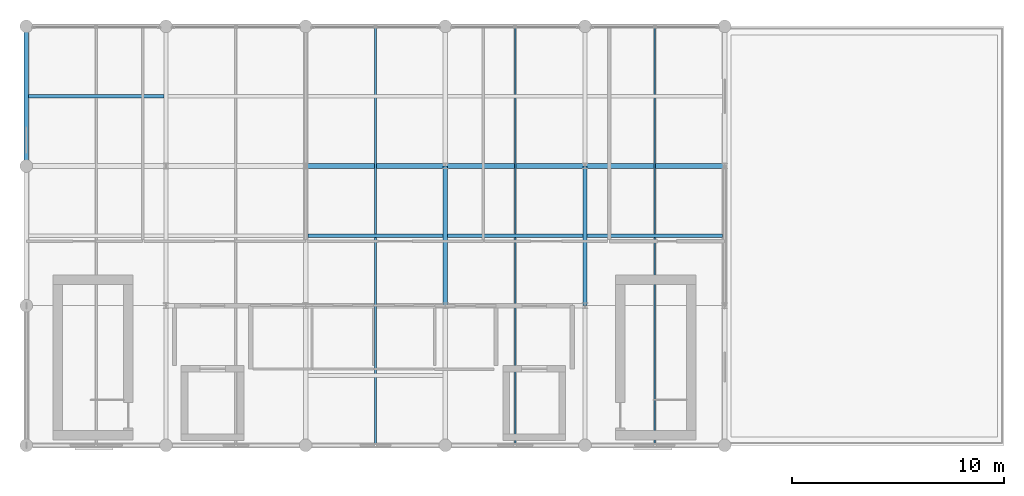
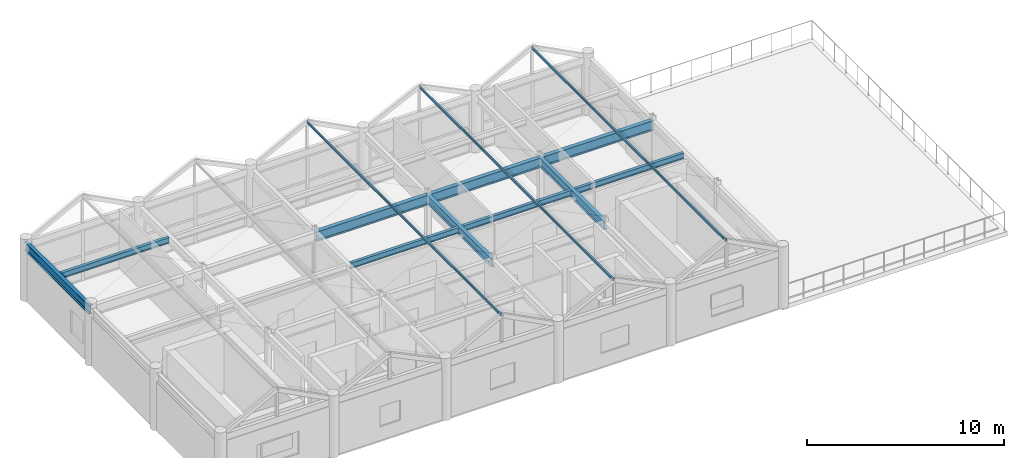
# One storey, part 7 of 21: 10 beams, 3 members.
"""IFC4 building model written with IfcOpenShell, lengths in metres."""

import ifcopenshell
import ifcopenshell.guid

model = None  # the IFC model being written
_history = None  # IfcOwnerHistory: only IFC2X3 demands one
_inside = {}  # id of a spatial element -> (the spatial element, [elements in it])
_under = {}  # id of a project, library or spatial element -> (it, [spatial elements below it])
_declared = {}  # id of a project -> (the project, [libraries it declares])
_typed = {}  # id of a type object -> (the type object, [elements of that type])
_made_of = {}  # id of a material, layer set ... -> (it, [elements and type objects made of it])


def new_model(schema):
    """Start an empty IFC model of exactly this schema.

    Asked for "IFC4X3", IfcOpenShell would pick the latest addendum, in which some entities
    have other attributes; the version numbers below select the first issue.
    IFC2X3 requires an IfcOwnerHistory on every rooted entity: one is made here for all.
    """
    global model, _history
    if schema == "IFC4X3":
        model = ifcopenshell.file(schema_version=(4, 3, 0, 0))
    else:
        model = ifcopenshell.file(schema=schema)
    _inside.clear()
    _under.clear()
    _declared.clear()
    _typed.clear()
    _made_of.clear()
    _history = None
    if model.schema == "IFC2X3":
        org = make("IfcOrganization", Name="unknown")
        user = make(
            "IfcPersonAndOrganization",
            ThePerson=make("IfcPerson", FamilyName="unknown"),
            TheOrganization=org,
        )
        app = make(
            "IfcApplication",
            ApplicationDeveloper=org,
            Version="unknown",
            ApplicationFullName="unknown",
            ApplicationIdentifier="unknown",
        )
        _history = make(
            "IfcOwnerHistory",
            OwningUser=user,
            OwningApplication=app,
            ChangeAction="ADDED",
            CreationDate=0,
        )
    return model


def make(cls, **values):
    """One entity of the class cls with the attributes given. An attribute that is None is left unset."""
    return model.create_entity(
        cls, **{name: value for name, value in values.items() if value is not None}
    )


def rooted(cls, **values):
    """An entity with a GlobalId (a new one), such as an element, a storey or a relation."""
    return make(cls, GlobalId=ifcopenshell.guid.new(), OwnerHistory=_history, **values)


def si_unit(unit_type, name, prefix=None):
    """IfcSIUnit, for example si_unit("LENGTHUNIT", "METRE", prefix="MILLI")."""
    return make("IfcSIUnit", UnitType=unit_type, Prefix=prefix, Name=name)


def assignment(units):
    """IfcUnitAssignment: the units of a project."""
    return None if units is None else make("IfcUnitAssignment", Units=units)


def point(xyz):
    """IfcCartesianPoint."""
    return None if xyz is None else make("IfcCartesianPoint", Coordinates=xyz)


def direction(xyz):
    """IfcDirection."""
    return None if xyz is None else make("IfcDirection", DirectionRatios=xyz)


def frame(location, z_axis=None, x_axis=None):
    """IfcAxis2Placement3D, a coordinate frame: its origin and axes. An axis left out is left unset."""
    return make(
        "IfcAxis2Placement3D",
        Location=point(location),
        Axis=direction(z_axis),
        RefDirection=direction(x_axis),
    )


def frame_2d(location, x_axis=None):
    """IfcAxis2Placement2D, a coordinate frame in the plane: its origin and x axis."""
    return make(
        "IfcAxis2Placement2D", Location=point(location), RefDirection=direction(x_axis)
    )


def origin():
    """The frame at (0, 0, 0) with its axes left unset."""
    return frame((0.0, 0.0, 0.0))


def origin_2d():
    """The frame at (0, 0) in the plane with its x axis left unset."""
    return frame_2d((0.0, 0.0))


def place(relative_to, where):
    """IfcLocalPlacement: puts the frame where relative to a parent placement (None: the world)."""
    return make(
        "IfcLocalPlacement", PlacementRelTo=relative_to, RelativePlacement=where
    )


def context(
    kind, dimensions, precision=None, world=None, true_north=None, identifier=None
):
    """IfcGeometricRepresentationContext, for example the 3D "Model" context."""
    return make(
        "IfcGeometricRepresentationContext",
        ContextIdentifier=identifier,
        ContextType=kind,
        CoordinateSpaceDimension=dimensions,
        Precision=precision,
        WorldCoordinateSystem=world,
        TrueNorth=true_north,
    )


def subcontext(parent, identifier, kind, view, scale=None):
    """IfcGeometricRepresentationSubContext, for example "Body" below "Model"."""
    return make(
        "IfcGeometricRepresentationSubContext",
        ContextIdentifier=identifier,
        ContextType=kind,
        ParentContext=parent,
        TargetScale=scale,
        TargetView=view,
    )


def project(units=None, contexts=None):
    """IfcProject with its units and contexts."""
    return rooted(
        "IfcProject",
        Name="project",
        RepresentationContexts=contexts,
        UnitsInContext=assignment(units),
    )


def spatial(cls, under=None, at=None, **own):
    """A site, building, storey or space (cls), placed at a placement, below another one or the project."""
    s = rooted(cls, ObjectPlacement=at, **own)
    if under is not None:
        _under.setdefault(under.id(), (under, []))[1].append(s)
    return s


def profile(cls, at=None, kind="AREA", **sizes):
    """A parametric profile (cls). Its sizes go by their IFC names, for example OverallWidth=200.0."""
    return make(cls, ProfileType=kind, Position=at, **sizes)


def i_section(**sizes):
    """IfcIShapeProfileDef."""
    return profile("IfcIShapeProfileDef", **sizes)


def extrude(swept, where, along, depth):
    """IfcExtrudedAreaSolid: the profile swept, set in the frame where, extruded along a direction by depth."""
    return make(
        "IfcExtrudedAreaSolid",
        SweptArea=swept,
        Position=where,
        ExtrudedDirection=direction(along),
        Depth=depth,
    )


def shape(context_of_items, identifier, shape_type, items):
    """IfcShapeRepresentation: the items that make up one representation, for example the "Body"."""
    return make(
        "IfcShapeRepresentation",
        ContextOfItems=context_of_items,
        RepresentationIdentifier=identifier,
        RepresentationType=shape_type,
        Items=items,
    )


def material(Name=None, Category=None):
    """IfcMaterial."""
    return make("IfcMaterial", Name=Name, Category=Category)


def material_profile(
    of_material, cross_section, Name=None, Category=None, Priority=None
):
    """IfcMaterialProfile: a cross section and its material."""
    return make(
        "IfcMaterialProfile",
        Name=Name,
        Material=of_material,
        Profile=cross_section,
        Priority=Priority,
        Category=Category,
    )


def profile_set(profiles, Name=None, composite=None):
    """IfcMaterialProfileSet."""
    return make(
        "IfcMaterialProfileSet",
        Name=Name,
        MaterialProfiles=profiles,
        CompositeProfile=composite,
    )


def made_of(thing, what):
    """Note that an element or type object is made of a material, layer set ...; save() writes the relation."""
    if what is not None:
        _made_of.setdefault(what.id(), (what, []))[1].append(thing)
    return thing


def type_object(cls, material=None, **own):
    """A type object (cls), such as IfcWallType, which elements share."""
    return made_of(rooted(cls, **own), material)


def element(
    cls,
    number,
    at=None,
    inside=None,
    cuts=None,
    type_object=None,
    material=None,
    context=None,
    identifier="Body",
    shape_type=None,
    held_by="IfcProductDefinitionShape",
    body=None,
    shapes=None,
    **own,
):
    """One element of the class cls, such as IfcWall. Its Tag is "e" and its number.

    at: its placement. inside: the storey or other place that contains it. cuts: it is an
    opening in that element (IfcRelVoidsElement). A single representation is given by context,
    identifier, shape_type and body (its items); several are given by shapes. held_by: the class
    of the entity that holds the representations. save() writes the other relations.
    """
    e = rooted(cls, Tag="e%d" % number, ObjectPlacement=at, **own)
    if body is not None:
        shapes = [shape(context, identifier, shape_type, body)]
    if shapes is not None:
        e.Representation = make(held_by, Representations=shapes)
    if inside is not None:
        _inside.setdefault(inside.id(), (inside, []))[1].append(e)
    if cuts is not None:
        rooted(
            "IfcRelVoidsElement", RelatingBuildingElement=cuts, RelatedOpeningElement=e
        )
    if type_object is not None:
        _typed.setdefault(type_object.id(), (type_object, []))[1].append(e)
    return made_of(e, material)


def aggregate(whole, parts):
    """IfcRelAggregates: a whole, such as a stair, and the parts it consists of."""
    return rooted("IfcRelAggregates", RelatingObject=whole, RelatedObjects=parts)


def save(model, path):
    """Write the relations noted so far, then the file.

    IfcRelAggregates (storeys below a building ...), IfcRelContainedInSpatialStructure (elements
    in a storey), IfcRelDefinesByType, IfcRelAssociatesMaterial and IfcRelDeclares: one each for
    every whole, place, type object, material and project.
    """
    for whole, parts in _under.values():
        aggregate(whole, parts)
    for where, things in _inside.values():
        rooted(
            "IfcRelContainedInSpatialStructure",
            RelatedElements=things,
            RelatingStructure=where,
        )
    for kind, things in _typed.values():
        rooted("IfcRelDefinesByType", RelatedObjects=things, RelatingType=kind)
    for what, things in _made_of.values():
        rooted("IfcRelAssociatesMaterial", RelatedObjects=things, RelatingMaterial=what)
    for by, libraries in _declared.values():
        rooted("IfcRelDeclares", RelatingContext=by, RelatedDefinitions=libraries)
    model.write(path)


model = new_model("IFC4")

# Units and contexts
model_context = context("Model", 3, precision=1e-05, world=origin(), true_north=direction((0.0, 1.0)))
body_context = subcontext(model_context, "Body", "Model", "MODEL_VIEW")
ifc_project = project(units=[si_unit("LENGTHUNIT", "METRE"), si_unit("AREAUNIT", "SQUARE_METRE"), si_unit("VOLUMEUNIT", "CUBIC_METRE"), si_unit("PLANEANGLEUNIT", "RADIAN"), si_unit("MASSUNIT", "GRAM", prefix="KILO")], contexts=[model_context])

# Site, building, storey
site_placement = place(None, origin())
site = spatial("IfcSite", under=ifc_project, at=site_placement, CompositionType="ELEMENT")
building_placement = place(site_placement, origin())
building = spatial("IfcBuilding", under=site, at=building_placement, Name="Karori Crest Natural Sciences Institute", CompositionType="ELEMENT")
storey_placement = place(building_placement, frame((0.0, 0.0, 42.0)))
storey = spatial("IfcBuildingStorey", under=building, at=storey_placement, Name="L10", CompositionType="ELEMENT", Elevation=42.0)

# Beams
ifc_material = material(Name="Structural steel AS/NZS 3679.1 Grade 350", Category="steel")
ifc_material_profile_1 = material_profile(ifc_material, i_section(OverallWidth=0.22900390625, OverallDepth=0.612060546875, WebThickness=0.011962890625, FlangeThickness=0.01953125, FilletRadius=0.013916015625, at=origin_2d()), Name="610UB125")
ifc_profile_set_1 = profile_set([ifc_material_profile_1], Name="Structural steel AS/NZS 3679.1 Grade 350")
beam_type_1 = type_object("IfcBeamType", Name="BT-04", PredefinedType="BEAM", material=ifc_profile_set_1)
beam_1_placement = place(storey_placement, frame((116.800048828125, 14.0, 3.263916015625), z_axis=(1.0, 0.0, 0.0), x_axis=(0.0, 1.0, 0.0)))
element("IfcBeam", 1, at=beam_1_placement, inside=storey, type_object=beam_type_1, Name="Beam B-2839", PredefinedType="BEAM", context=body_context, shape_type="SweptSolid", body=[
    extrude(i_section(OverallWidth=0.22900390625, OverallDepth=0.612060546875, WebThickness=0.011962890625, FlangeThickness=0.01953125, FilletRadius=0.013916015625, at=origin_2d()), origin(), (0.0, 0.0, 1.0), 6.599853515625),
])
for number, where, z_axis, x_axis, name in (
    (2, (123.39990234375, 14.0, 3.263916015625), (1.0, 0.0, 0.0), (0.0, 1.0, 0.0), "Beam B-2840"),
    (3, (130.0, 14.0, 3.263916015625), (1.0, 0.0, 0.0), (0.0, 1.0, 0.0), "Beam B-2841"),
):
    element("IfcBeam", number, at=place(storey_placement, frame(where, z_axis=z_axis, x_axis=x_axis)), inside=storey, type_object=beam_type_1, Name=name, PredefinedType="BEAM", context=body_context, shape_type="SweptSolid", body=[
        extrude(i_section(OverallWidth=0.22900390625, OverallDepth=0.612060546875, WebThickness=0.011962890625, FlangeThickness=0.01953125, FilletRadius=0.013916015625, at=origin_2d()), origin(), (0.0, 0.0, 1.0), 6.60009765625),
    ])
ifc_material_profile_2 = material_profile(ifc_material, i_section(OverallWidth=0.208984375, OverallDepth=0.532958984375, WebThickness=0.01025390625, FlangeThickness=0.015625, FilletRadius=0.013916015625, at=origin_2d()), Name="530UB92.4")
ifc_profile_set_2 = profile_set([ifc_material_profile_2], Name="Structural steel AS/NZS 3679.1 Grade 350")
beam_type_2 = type_object("IfcBeamType", Name="BT-05", PredefinedType="BEAM", material=ifc_profile_set_2)
for number, where, z_axis, x_axis, name in (
    (4, (123.39990234375, 7.39990234375, 3.303466796875), (0.0, 1.0, 0.0), (-1.0, 0.0, 0.0), "Beam B-2857"),
    (5, (130.0, 7.39990234375, 3.303466796875), (0.0, 1.0, 0.0), (-1.0, 0.0, 0.0), "Beam B-2860"),
):
    element("IfcBeam", number, at=place(storey_placement, frame(where, z_axis=z_axis, x_axis=x_axis)), inside=storey, type_object=beam_type_2, Name=name, PredefinedType="BEAM", context=body_context, shape_type="SweptSolid", body=[
        extrude(i_section(OverallWidth=0.208984375, OverallDepth=0.532958984375, WebThickness=0.01025390625, FlangeThickness=0.015625, FilletRadius=0.013916015625, at=origin_2d()), origin(), (0.0, 0.0, 1.0), 6.60009765625),
    ])
ifc_material_profile_3 = material_profile(ifc_material, i_section(OverallWidth=0.208984375, OverallDepth=0.532958984375, WebThickness=0.01025390625, FlangeThickness=0.015625, FilletRadius=0.013916015625, at=origin_2d()), Name="530UB92.4")
ifc_profile_set_3 = profile_set([ifc_material_profile_3], Name="Structural steel AS/NZS 3679.1 Grade 350")
beam_type_3 = type_object("IfcBeamType", Name="BT-05-EL", PredefinedType="BEAM", material=ifc_profile_set_3)
beam_2_placement = place(storey_placement, frame((103.60009765625, 14.0, 3.303466796875), z_axis=(0.0, 1.0, 0.0), x_axis=(-1.0, 0.0, 0.0)))
element("IfcBeam", 6, at=beam_2_placement, inside=storey, type_object=beam_type_3, Name="Beam B-2849", PredefinedType="BEAM", context=body_context, shape_type="SweptSolid", body=[
    extrude(i_section(OverallWidth=0.208984375, OverallDepth=0.532958984375, WebThickness=0.01025390625, FlangeThickness=0.015625, FilletRadius=0.013916015625, at=origin_2d()), origin(), (0.0, 0.0, 1.0), 6.60009765625),
])
ifc_material_profile_4 = material_profile(ifc_material, i_section(OverallWidth=0.172119140625, OverallDepth=0.35888671875, WebThickness=0.008056640625, FlangeThickness=0.012939453125, FilletRadius=0.010986328125, at=origin_2d()), Name="360UB56.7")
ifc_profile_set_4 = profile_set([ifc_material_profile_4], Name="Structural steel AS/NZS 3679.1 Grade 350")
beam_type_4 = type_object("IfcBeamType", Name="BT-08", PredefinedType="BEAM", material=ifc_profile_set_4)
for number, where, z_axis, x_axis, name in (
    (7, (103.70458984375, 17.300048828125, 3.390380859375), (1.0, 0.0, 0.0), (0.0, 1.0, 0.0), "Beam B-2866"),
    (8, (116.904541015625, 10.699951171875, 3.390380859375), (1.0, 0.0, 0.0), (0.0, 1.0, 0.0), "Beam B-2870"),
):
    element("IfcBeam", number, at=place(storey_placement, frame(where, z_axis=z_axis, x_axis=x_axis)), inside=storey, type_object=beam_type_4, Name=name, PredefinedType="BEAM", context=body_context, shape_type="SweptSolid", body=[
        extrude(i_section(OverallWidth=0.172119140625, OverallDepth=0.35888671875, WebThickness=0.008056640625, FlangeThickness=0.012939453125, FilletRadius=0.010986328125, at=origin_2d()), origin(), (0.0, 0.0, 1.0), 6.390869140625),
    ])
for number, where, z_axis, x_axis, name in (
    (9, (123.50439453125, 10.699951171875, 3.390380859375), (1.0, 0.0, 0.0), (0.0, 1.0, 0.0), "Beam B-2872"),
    (10, (130.1044921875, 10.699951171875, 3.390380859375), (1.0, 0.0, 0.0), (0.0, 1.0, 0.0), "Beam B-2874"),
):
    element("IfcBeam", number, at=place(storey_placement, frame(where, z_axis=z_axis, x_axis=x_axis)), inside=storey, type_object=beam_type_4, Name=name, PredefinedType="BEAM", context=body_context, shape_type="SweptSolid", body=[
        extrude(i_section(OverallWidth=0.172119140625, OverallDepth=0.35888671875, WebThickness=0.008056640625, FlangeThickness=0.012939453125, FilletRadius=0.010986328125, at=origin_2d()), origin(), (0.0, 0.0, 1.0), 6.39111328125),
    ])

# Members
ifc_material_profile_5 = material_profile(ifc_material, i_section(OverallWidth=0.074951171875, OverallDepth=0.155029296875, WebThickness=0.006103515625, FlangeThickness=0.009521484375, FilletRadius=0.008056640625, at=origin_2d()), Name="150UB18.0")
ifc_profile_set_5 = profile_set([ifc_material_profile_5], Name="Structural steel AS/NZS 3679.1 Grade 350")
member_type = type_object("IfcMemberType", Name="MT-10", PredefinedType="PURLIN", material=ifc_profile_set_5)
for number, where, z_axis, x_axis, name in (
    (11, (120.10009765625, 0.800048828125, 5.18994140625), (0.0, 1.0, 0.0), (-1.0, 0.0, 0.0), "Member M-0481"),
    (12, (126.699951171875, 0.800048828125, 5.070068359375), (0.0, 1.0, 0.0), (-1.0, 0.0, 0.0), "Member M-0488"),
    (13, (133.300048828125, 0.800048828125, 5.18994140625), (0.0, 1.0, 0.0), (-1.0, 0.0, 0.0), "Member M-0495"),
):
    element("IfcMember", number, at=place(storey_placement, frame(where, z_axis=z_axis, x_axis=x_axis)), inside=storey, type_object=member_type, Name=name, PredefinedType="PURLIN", context=body_context, shape_type="SweptSolid", body=[
        extrude(i_section(OverallWidth=0.074951171875, OverallDepth=0.155029296875, WebThickness=0.006103515625, FlangeThickness=0.009521484375, FilletRadius=0.008056640625, at=origin_2d()), origin(), (0.0, 0.0, 1.0), 19.800048828125),
    ])

save(model, "model.ifc")
